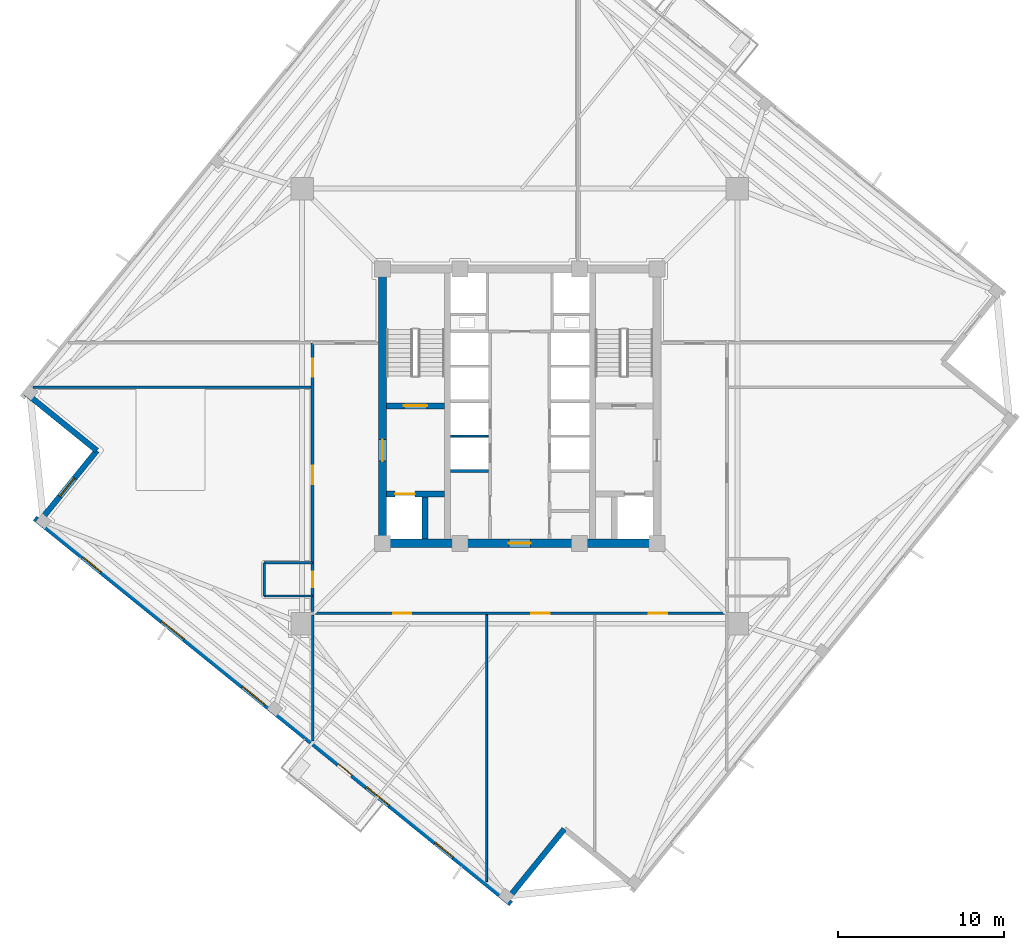
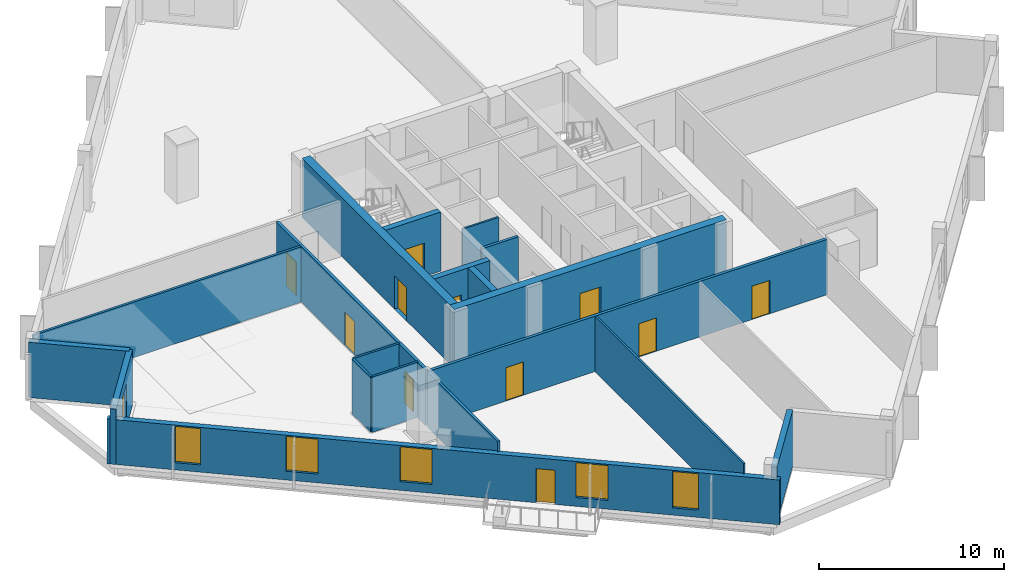
# One storey, part 3 of 10: 19 walls, 11 doors, 6 windows, 17 openings.
"""IFC4 building model written with IfcOpenShell, lengths in metres."""

import ifcopenshell
import ifcopenshell.guid

model = None  # the IFC model being written
_history = None  # IfcOwnerHistory: only IFC2X3 demands one
_inside = {}  # id of a spatial element -> (the spatial element, [elements in it])
_under = {}  # id of a project, library or spatial element -> (it, [spatial elements below it])
_declared = {}  # id of a project -> (the project, [libraries it declares])
_typed = {}  # id of a type object -> (the type object, [elements of that type])
_made_of = {}  # id of a material, layer set ... -> (it, [elements and type objects made of it])


def new_model(schema):
    """Start an empty IFC model of exactly this schema.

    Asked for "IFC4X3", IfcOpenShell would pick the latest addendum, in which some entities
    have other attributes; the version numbers below select the first issue.
    IFC2X3 requires an IfcOwnerHistory on every rooted entity: one is made here for all.
    """
    global model, _history
    if schema == "IFC4X3":
        model = ifcopenshell.file(schema_version=(4, 3, 0, 0))
    else:
        model = ifcopenshell.file(schema=schema)
    _inside.clear()
    _under.clear()
    _declared.clear()
    _typed.clear()
    _made_of.clear()
    _history = None
    if model.schema == "IFC2X3":
        org = make("IfcOrganization", Name="unknown")
        user = make(
            "IfcPersonAndOrganization",
            ThePerson=make("IfcPerson", FamilyName="unknown"),
            TheOrganization=org,
        )
        app = make(
            "IfcApplication",
            ApplicationDeveloper=org,
            Version="unknown",
            ApplicationFullName="unknown",
            ApplicationIdentifier="unknown",
        )
        _history = make(
            "IfcOwnerHistory",
            OwningUser=user,
            OwningApplication=app,
            ChangeAction="ADDED",
            CreationDate=0,
        )
    return model


def make(cls, **values):
    """One entity of the class cls with the attributes given. An attribute that is None is left unset."""
    return model.create_entity(
        cls, **{name: value for name, value in values.items() if value is not None}
    )


def rooted(cls, **values):
    """An entity with a GlobalId (a new one), such as an element, a storey or a relation."""
    return make(cls, GlobalId=ifcopenshell.guid.new(), OwnerHistory=_history, **values)


def si_unit(unit_type, name, prefix=None):
    """IfcSIUnit, for example si_unit("LENGTHUNIT", "METRE", prefix="MILLI")."""
    return make("IfcSIUnit", UnitType=unit_type, Prefix=prefix, Name=name)


def assignment(units):
    """IfcUnitAssignment: the units of a project."""
    return None if units is None else make("IfcUnitAssignment", Units=units)


def point(xyz):
    """IfcCartesianPoint."""
    return None if xyz is None else make("IfcCartesianPoint", Coordinates=xyz)


def direction(xyz):
    """IfcDirection."""
    return None if xyz is None else make("IfcDirection", DirectionRatios=xyz)


def frame(location, z_axis=None, x_axis=None):
    """IfcAxis2Placement3D, a coordinate frame: its origin and axes. An axis left out is left unset."""
    return make(
        "IfcAxis2Placement3D",
        Location=point(location),
        Axis=direction(z_axis),
        RefDirection=direction(x_axis),
    )


def frame_2d(location, x_axis=None):
    """IfcAxis2Placement2D, a coordinate frame in the plane: its origin and x axis."""
    return make(
        "IfcAxis2Placement2D", Location=point(location), RefDirection=direction(x_axis)
    )


def origin():
    """The frame at (0, 0, 0) with its axes left unset."""
    return frame((0.0, 0.0, 0.0))


def place(relative_to, where):
    """IfcLocalPlacement: puts the frame where relative to a parent placement (None: the world)."""
    return make(
        "IfcLocalPlacement", PlacementRelTo=relative_to, RelativePlacement=where
    )


def context(
    kind, dimensions, precision=None, world=None, true_north=None, identifier=None
):
    """IfcGeometricRepresentationContext, for example the 3D "Model" context."""
    return make(
        "IfcGeometricRepresentationContext",
        ContextIdentifier=identifier,
        ContextType=kind,
        CoordinateSpaceDimension=dimensions,
        Precision=precision,
        WorldCoordinateSystem=world,
        TrueNorth=true_north,
    )


def subcontext(parent, identifier, kind, view, scale=None):
    """IfcGeometricRepresentationSubContext, for example "Body" below "Model"."""
    return make(
        "IfcGeometricRepresentationSubContext",
        ContextIdentifier=identifier,
        ContextType=kind,
        ParentContext=parent,
        TargetScale=scale,
        TargetView=view,
    )


def project(units=None, contexts=None):
    """IfcProject with its units and contexts."""
    return rooted(
        "IfcProject",
        Name="project",
        RepresentationContexts=contexts,
        UnitsInContext=assignment(units),
    )


def spatial(cls, under=None, at=None, **own):
    """A site, building, storey or space (cls), placed at a placement, below another one or the project."""
    s = rooted(cls, ObjectPlacement=at, **own)
    if under is not None:
        _under.setdefault(under.id(), (under, []))[1].append(s)
    return s


def profile(cls, at=None, kind="AREA", **sizes):
    """A parametric profile (cls). Its sizes go by their IFC names, for example OverallWidth=200.0."""
    return make(cls, ProfileType=kind, Position=at, **sizes)


def rectangle(**sizes):
    """IfcRectangleProfileDef."""
    return profile("IfcRectangleProfileDef", **sizes)


def extrude(swept, where, along, depth):
    """IfcExtrudedAreaSolid: the profile swept, set in the frame where, extruded along a direction by depth."""
    return make(
        "IfcExtrudedAreaSolid",
        SweptArea=swept,
        Position=where,
        ExtrudedDirection=direction(along),
        Depth=depth,
    )


def shape(context_of_items, identifier, shape_type, items):
    """IfcShapeRepresentation: the items that make up one representation, for example the "Body"."""
    return make(
        "IfcShapeRepresentation",
        ContextOfItems=context_of_items,
        RepresentationIdentifier=identifier,
        RepresentationType=shape_type,
        Items=items,
    )


def source(mapping_origin, context_of_items, identifier, shape_type, items):
    """IfcRepresentationMap: a shape defined once, which mapped items show again and again."""
    return make(
        "IfcRepresentationMap",
        MappingOrigin=mapping_origin,
        MappedRepresentation=shape(context_of_items, identifier, shape_type, items),
    )


def transform(
    local_origin,
    x_axis=None,
    y_axis=None,
    z_axis=None,
    scale=None,
    scale2=None,
    scale3=None,
    uniform=True,
):
    """IfcCartesianTransformationOperator3D, or its non-uniform kind. x_axis, y_axis, z_axis: its Axis1, 2, 3."""
    if uniform:
        return make(
            "IfcCartesianTransformationOperator3D",
            Axis1=direction(x_axis),
            Axis2=direction(y_axis),
            LocalOrigin=point(local_origin),
            Scale=scale,
            Axis3=direction(z_axis),
        )
    return make(
        "IfcCartesianTransformationOperator3DnonUniform",
        Axis1=direction(x_axis),
        Axis2=direction(y_axis),
        LocalOrigin=point(local_origin),
        Scale=scale,
        Axis3=direction(z_axis),
        Scale2=scale2,
        Scale3=scale3,
    )


def mapped(mapping_source, mapping_target):
    """IfcMappedItem: shows the shape of a source again, moved by a transform."""
    return make(
        "IfcMappedItem", MappingSource=mapping_source, MappingTarget=mapping_target
    )


def material(Name=None, Category=None):
    """IfcMaterial."""
    return make("IfcMaterial", Name=Name, Category=Category)


def layer(
    of_material, thickness, ventilated=None, Name=None, Category=None, Priority=None
):
    """IfcMaterialLayer: one layer of a wall or slab, of a material (None: an air gap)."""
    return make(
        "IfcMaterialLayer",
        Material=of_material,
        LayerThickness=thickness,
        IsVentilated=ventilated,
        Name=Name,
        Category=Category,
        Priority=Priority,
    )


def layer_set(layers, Name=None):
    """IfcMaterialLayerSet."""
    return make("IfcMaterialLayerSet", MaterialLayers=layers, LayerSetName=Name)


def made_of(thing, what):
    """Note that an element or type object is made of a material, layer set ...; save() writes the relation."""
    if what is not None:
        _made_of.setdefault(what.id(), (what, []))[1].append(thing)
    return thing


def type_object(cls, material=None, **own):
    """A type object (cls), such as IfcWallType, which elements share."""
    return made_of(rooted(cls, **own), material)


def element(
    cls,
    number,
    at=None,
    inside=None,
    cuts=None,
    type_object=None,
    material=None,
    context=None,
    identifier="Body",
    shape_type=None,
    held_by="IfcProductDefinitionShape",
    body=None,
    shapes=None,
    **own,
):
    """One element of the class cls, such as IfcWall. Its Tag is "e" and its number.

    at: its placement. inside: the storey or other place that contains it. cuts: it is an
    opening in that element (IfcRelVoidsElement). A single representation is given by context,
    identifier, shape_type and body (its items); several are given by shapes. held_by: the class
    of the entity that holds the representations. save() writes the other relations.
    """
    e = rooted(cls, Tag="e%d" % number, ObjectPlacement=at, **own)
    if body is not None:
        shapes = [shape(context, identifier, shape_type, body)]
    if shapes is not None:
        e.Representation = make(held_by, Representations=shapes)
    if inside is not None:
        _inside.setdefault(inside.id(), (inside, []))[1].append(e)
    if cuts is not None:
        rooted(
            "IfcRelVoidsElement", RelatingBuildingElement=cuts, RelatedOpeningElement=e
        )
    if type_object is not None:
        _typed.setdefault(type_object.id(), (type_object, []))[1].append(e)
    return made_of(e, material)


def fill(opening, filler):
    """IfcRelFillsElement: the door or window that sits in an opening."""
    return rooted(
        "IfcRelFillsElement",
        RelatingOpeningElement=opening,
        RelatedBuildingElement=filler,
    )


def aggregate(whole, parts):
    """IfcRelAggregates: a whole, such as a stair, and the parts it consists of."""
    return rooted("IfcRelAggregates", RelatingObject=whole, RelatedObjects=parts)


def save(model, path):
    """Write the relations noted so far, then the file.

    IfcRelAggregates (storeys below a building ...), IfcRelContainedInSpatialStructure (elements
    in a storey), IfcRelDefinesByType, IfcRelAssociatesMaterial and IfcRelDeclares: one each for
    every whole, place, type object, material and project.
    """
    for whole, parts in _under.values():
        aggregate(whole, parts)
    for where, things in _inside.values():
        rooted(
            "IfcRelContainedInSpatialStructure",
            RelatedElements=things,
            RelatingStructure=where,
        )
    for kind, things in _typed.values():
        rooted("IfcRelDefinesByType", RelatedObjects=things, RelatingType=kind)
    for what, things in _made_of.values():
        rooted("IfcRelAssociatesMaterial", RelatedObjects=things, RelatingMaterial=what)
    for by, libraries in _declared.values():
        rooted("IfcRelDeclares", RelatingContext=by, RelatedDefinitions=libraries)
    model.write(path)


model = new_model("IFC4")

# Units and contexts
model_context = context("Model", 3, precision=1e-05, world=origin(), true_north=direction((0.0, 1.0)))
body_context = subcontext(model_context, "Body", "Model", "MODEL_VIEW")
ifc_project = project(units=[si_unit("LENGTHUNIT", "METRE"), si_unit("AREAUNIT", "SQUARE_METRE"), si_unit("VOLUMEUNIT", "CUBIC_METRE"), si_unit("PLANEANGLEUNIT", "RADIAN"), si_unit("MASSUNIT", "GRAM", prefix="KILO"), si_unit("THERMODYNAMICTEMPERATUREUNIT", "KELVIN")], contexts=[model_context])

# Site, building, storey
site_placement = place(None, origin())
site = spatial("IfcSite", under=ifc_project, at=site_placement, CompositionType="ELEMENT")
building_placement = place(site_placement, origin())
building = spatial("IfcBuilding", under=site, at=building_placement, Name="Kosmvard Interchange Tower", CompositionType="ELEMENT")
storey_placement = place(building_placement, frame((0.0, 0.0, 229.0)))
storey = spatial("IfcBuildingStorey", under=building, at=storey_placement, Name="L55", CompositionType="ELEMENT", Elevation=229.0)

# Walls
ifc_material_1 = material(Name="Acoustic gypsum partition system")
ifc_layer_1 = layer(ifc_material_1, 0.14990234375, Name="Acoustic gypsum partition system")
ifc_layer_set_1 = layer_set([ifc_layer_1], Name="Acoustic gypsum partition system")
wall_type_1 = type_object("IfcWallType", Name="Acoustic Suite & Meeting Partition 150", PredefinedType="PARTITIONING", material=ifc_layer_set_1)
wall_1_placement = place(storey_placement, frame((-29.275390625, 1.14990234375, 0.0), z_axis=(0.0, 0.0, 1.0), x_axis=(1.0, 0.0, 0.0)))
element("IfcWall", 1, at=wall_1_placement, inside=storey, type_object=wall_type_1, Name="L55 Room Partition 02.1", PredefinedType="PARTITIONING", context=body_context, shape_type="SweptSolid", body=[
    extrude(rectangle(XDim=16.73046875, YDim=0.14990234375, at=frame_2d((8.365234375, 0.0))), origin(), (0.0, 0.0, 1.0), 3.659912109375),
])
wall_2_placement = place(storey_placement, frame((-12.449951171875, -20.124755859375, 0.0), z_axis=(0.0, 0.0, 1.0), x_axis=(0.0, 1.0, 0.0)))
element("IfcWall", 2, at=wall_2_placement, inside=storey, type_object=wall_type_1, Name="L55 Room Partition 06.1", PredefinedType="PARTITIONING", context=body_context, shape_type="SweptSolid", body=[
    extrude(rectangle(XDim=7.579833984375, YDim=0.14990234375, at=frame_2d((3.7900390625, 0.0))), origin(), (0.0, 0.0, 1.0), 3.659912109375),
])

# Wall, openings, doors
ifc_material_2 = material(Name="Fire-rated gypsum partition system")
ifc_layer_2 = layer(ifc_material_2, 0.179931640625, Name="Fire-rated gypsum partition system")
ifc_layer_set_2 = layer_set([ifc_layer_2], Name="Fire-rated gypsum partition system")
wall_type_2 = type_object("IfcWallType", Name="Corridor & Hotel Compartment Partition 180", PredefinedType="PARTITIONING", material=ifc_layer_set_2)
wall_3_placement = place(storey_placement, frame((-12.449951171875, -12.449951171875, 0.0), z_axis=(0.0, 0.0, 1.0), x_axis=(1.0, 0.0, 0.0)))
wall_3 = element("IfcWall", 3, at=wall_3_placement, inside=storey, type_object=wall_type_2, Name="L55 Corridor Wall CS", PredefinedType="PARTITIONING", context=body_context, shape_type="SweptSolid", body=[
    extrude(rectangle(XDim=24.89990234375, YDim=0.179931640625, at=frame_2d((12.449951171875, 0.0))), origin(), (0.0, 0.0, 1.0), 3.659912109375),
])
opening_1_placement = place(wall_3_placement, frame((4.83935546875, 0.0, 0.0)))
opening_1 = element("IfcOpeningElement", 4, at=opening_1_placement, cuts=wall_3, Name="Opening L55-D08", PredefinedType="OPENING", context=body_context, shape_type="SweptSolid", body=[
    extrude(rectangle(XDim=1.10009765625, YDim=2.199951171875, at=frame_2d((0.550048828125, 1.10009765625))), frame((0.0, 0.10009765625, 0.0), z_axis=(0.0, -1.0, 0.0), x_axis=(1.0, 0.0, 0.0)), (0.0, 0.0, 1.0), 0.199951171875),
])
opening_2_placement = place(wall_3_placement, frame((13.14990234375, 0.0, 0.0)))
opening_2 = element("IfcOpeningElement", 5, at=opening_2_placement, cuts=wall_3, Name="Opening L55-D09", PredefinedType="OPENING", context=body_context, shape_type="SweptSolid", body=[
    extrude(rectangle(XDim=1.10009765625, YDim=2.199951171875, at=frame_2d((0.550048828125, 1.10009765625))), frame((0.0, 0.10009765625, 0.0), z_axis=(0.0, -1.0, 0.0), x_axis=(1.0, 0.0, 0.0)), (0.0, 0.0, 1.0), 0.199951171875),
])
opening_3_placement = place(wall_3_placement, frame((20.21044921875, 0.0, 0.0)))
opening_3 = element("IfcOpeningElement", 6, at=opening_3_placement, cuts=wall_3, Name="Opening L55-D10", PredefinedType="OPENING", context=body_context, shape_type="SweptSolid", body=[
    extrude(rectangle(XDim=1.10009765625, YDim=2.199951171875, at=frame_2d((0.550048828125, 1.10009765625))), frame((0.0, 0.10009765625, 0.0), z_axis=(0.0, -1.0, 0.0), x_axis=(1.0, 0.0, 0.0)), (0.0, 0.0, 1.0), 0.199951171875),
])
ifc_material_3 = material(Name="Engineered oak fire-rated timber", Category="wood")
door_type_1 = type_object("IfcDoorType", Name="Office Suite Entrance Door 1100x2200 FD30S", OperationType="NOTDEFINED", PredefinedType="DOOR", material=ifc_material_3)
shared_shape_1 = source(origin(), body_context, "Body", "SweptSolid", [
    extrude(rectangle(XDim=1.10009765625, YDim=2.199951171875, at=frame_2d((0.550048828125, 1.10009765625))), frame((0.0, 0.02490234375, 0.0), z_axis=(0.0, -1.0, 0.0), x_axis=(1.0, 0.0, 0.0)), (0.0, 0.0, 1.0), 0.050048828125),
])
door_1_placement = place(opening_1_placement, frame((1.10009765625, 0.0, 0.0), z_axis=(0.0, 0.0, 1.0), x_axis=(-1.0, 0.0, 0.0)))
door_1 = element("IfcDoor", 7, at=door_1_placement, inside=storey, type_object=door_type_1, Name="L55 Mediation Chamber 3 Door", OperationType="SINGLE_SWING_RIGHT", OverallHeight=2.199951171875, OverallWidth=1.10009765625, PredefinedType="DOOR", context=body_context, shape_type="MappedRepresentation", body=[
    mapped(shared_shape_1, transform((0.0, 0.0, 0.0), scale=1.0)),
])
fill(opening_1, door_1)
door_2_placement = place(opening_2_placement, frame((1.10009765625, 0.0, 0.0), z_axis=(0.0, 0.0, 1.0), x_axis=(-1.0, 0.0, 0.0)))
door_2 = element("IfcDoor", 8, at=door_2_placement, inside=storey, type_object=door_type_1, Name="L55 Arbitration Chamber 4 Door", OperationType="SINGLE_SWING_LEFT", OverallHeight=2.199951171875, OverallWidth=1.10009765625, PredefinedType="DOOR", context=body_context, shape_type="MappedRepresentation", body=[
    mapped(shared_shape_1, transform((0.0, 0.0, 0.0), scale=1.0)),
])
fill(opening_2, door_2)
door_3_placement = place(opening_3_placement, frame((1.10009765625, 0.0, 0.0), z_axis=(0.0, 0.0, 1.0), x_axis=(-1.0, 0.0, 0.0)))
door_3 = element("IfcDoor", 9, at=door_3_placement, inside=storey, type_object=door_type_1, Name="L55 Chambers Pantry Door", OperationType="SINGLE_SWING_RIGHT", OverallHeight=2.199951171875, OverallWidth=1.10009765625, PredefinedType="DOOR", context=body_context, shape_type="MappedRepresentation", body=[
    mapped(shared_shape_1, transform((0.0, 0.0, 0.0), scale=1.0)),
])
fill(opening_3, door_3)

wall_4_placement = place(storey_placement, frame((-12.449951171875, -12.35009765625, 0.0), z_axis=(0.0, 0.0, 1.0), x_axis=(0.0, 1.0, 0.0)))
wall_4 = element("IfcWall", 10, at=wall_4_placement, inside=storey, type_object=wall_type_2, Name="L55 Corridor Wall CW", PredefinedType="PARTITIONING", context=body_context, shape_type="SweptSolid", body=[
    extrude(rectangle(XDim=16.150146484375, YDim=0.179931640625, at=frame_2d((8.0751953125, 0.0))), origin(), (0.0, 0.0, 1.0), 3.659912109375),
])
opening_4_placement = place(wall_4_placement, frame((1.455078125, 0.0, 0.0)))
opening_4 = element("IfcOpeningElement", 11, at=opening_4_placement, cuts=wall_4, Name="Opening L55-D01", PredefinedType="OPENING", context=body_context, shape_type="SweptSolid", body=[
    extrude(rectangle(XDim=0.949951171875, YDim=2.10009765625, at=frame_2d((0.47509765625, 1.050048828125))), frame((0.0, 0.10009765625, 0.0), z_axis=(0.0, -1.0, 0.0), x_axis=(1.0, 0.0, 0.0)), (0.0, 0.0, 1.0), 0.199951171875),
])
opening_5_placement = place(wall_4_placement, frame((14.110595703125, 0.0, 0.0)))
opening_5 = element("IfcOpeningElement", 12, at=opening_5_placement, cuts=wall_4, Name="Opening L55-D03", PredefinedType="OPENING", context=body_context, shape_type="SweptSolid", body=[
    extrude(rectangle(XDim=1.10009765625, YDim=2.199951171875, at=frame_2d((0.550048828125, 1.10009765625))), frame((0.0, 0.10009765625, 0.0), z_axis=(0.0, -1.0, 0.0), x_axis=(1.0, 0.0, 0.0)), (0.0, 0.0, 1.0), 0.199951171875),
])
opening_6_placement = place(wall_4_placement, frame((7.658935546875, 0.0, 0.0)))
opening_6 = element("IfcOpeningElement", 13, at=opening_6_placement, cuts=wall_4, Name="Opening L55-D07", PredefinedType="OPENING", context=body_context, shape_type="SweptSolid", body=[
    extrude(rectangle(XDim=1.10009765625, YDim=2.199951171875, at=frame_2d((0.550048828125, 1.10009765625))), frame((0.0, 0.10009765625, 0.0), z_axis=(0.0, -1.0, 0.0), x_axis=(1.0, 0.0, 0.0)), (0.0, 0.0, 1.0), 0.199951171875),
])
ifc_material_4 = material(Name="Laminated moisture-resistant timber", Category="wood")
door_type_2 = type_object("IfcDoorType", Name="Accessible Washroom Door 950x2100", OperationType="NOTDEFINED", PredefinedType="DOOR", material=ifc_material_4)
shared_shape_2 = source(origin(), body_context, "Body", "SweptSolid", [
    extrude(rectangle(XDim=0.949951171875, YDim=2.10009765625, at=frame_2d((0.47509765625, 1.050048828125))), frame((0.0, 0.02490234375, 0.0), z_axis=(0.0, -1.0, 0.0), x_axis=(1.0, 0.0, 0.0)), (0.0, 0.0, 1.0), 0.050048828125),
])
door_4_placement = place(opening_4_placement, origin())
door_4 = element("IfcDoor", 14, at=door_4_placement, inside=storey, type_object=door_type_2, Name="L55 Accessible Toilet Door", OperationType="SINGLE_SWING_LEFT", OverallHeight=2.10009765625, OverallWidth=0.949951171875, PredefinedType="DOOR", context=body_context, shape_type="MappedRepresentation", body=[
    mapped(shared_shape_2, transform((0.0, 0.0, 0.0), scale=1.0)),
])
fill(opening_4, door_4)
door_5_placement = place(opening_5_placement, origin())
door_5 = element("IfcDoor", 15, at=door_5_placement, inside=storey, type_object=door_type_1, Name="L55 West Caucus Chamber 1 Door", OperationType="SINGLE_SWING_LEFT", OverallHeight=2.199951171875, OverallWidth=1.10009765625, PredefinedType="DOOR", context=body_context, shape_type="MappedRepresentation", body=[
    mapped(shared_shape_1, transform((0.0, 0.0, 0.0), scale=1.0)),
])
fill(opening_5, door_5)
door_6_placement = place(opening_6_placement, origin())
door_6 = element("IfcDoor", 16, at=door_6_placement, inside=storey, type_object=door_type_1, Name="L55 South-West Open Legal Studio Door", OperationType="SINGLE_SWING_LEFT", OverallHeight=2.199951171875, OverallWidth=1.10009765625, PredefinedType="DOOR", context=body_context, shape_type="MappedRepresentation", body=[
    mapped(shared_shape_1, transform((0.0, 0.0, 0.0), scale=1.0)),
])
fill(opening_6, door_6)

# Wall
ifc_material_5 = material(Name="Precast concrete C45/55", Category="concrete")
ifc_layer_3 = layer(ifc_material_5, 0.340087890625, Name="Precast concrete C45/55")
ifc_layer_set_3 = layer_set([ifc_layer_3], Name="Precast concrete C45/55")
wall_type_3 = type_object("IfcWallType", Name="Mid Tower Precast Pier Wall 340 C45/55", PredefinedType="STANDARD", material=ifc_layer_set_3)
wall_5_placement = place(storey_placement, frame((-29.703125, 0.78857421875, 0.0), z_axis=(0.0, 0.0, 1.0), x_axis=(0.77714355312, -0.629323365087, 0.0)))
element("IfcWall", 17, at=wall_5_placement, inside=storey, type_object=wall_type_3, Name="L55 Precast Facade Wall N-NW1", PredefinedType="STANDARD", context=body_context, shape_type="SweptSolid", body=[
    extrude(rectangle(XDim=5.499755859375, YDim=0.340087890625, at=frame_2d((2.75, 0.0))), origin(), (0.0, 0.0, 1.0), 3.659912109375),
])

# Wall, opening, window
wall_6_placement = place(storey_placement, frame((-25.428955078125, -2.672607421875, 0.0), z_axis=(0.0, 0.0, 1.0), x_axis=(-0.629299794138, -0.777162640055, 0.0)))
wall_6 = element("IfcWall", 18, at=wall_6_placement, inside=storey, type_object=wall_type_3, Name="L55 Precast Facade Wall N-NW2", PredefinedType="STANDARD", context=body_context, shape_type="SweptSolid", body=[
    extrude(rectangle(XDim=5.669921875, YDim=0.340087890625, at=frame_2d((2.8349609375, 0.0))), origin(), (0.0, 0.0, 1.0), 3.659912109375),
])
opening_7_placement = place(wall_6_placement, frame((2.135009765625, 0.0, 0.47998046875)))
opening_7 = element("IfcOpeningElement", 19, at=opening_7_placement, cuts=wall_6, Name="Opening L55-W23", PredefinedType="OPENING", context=body_context, shape_type="SweptSolid", body=[
    extrude(rectangle(XDim=1.39990234375, YDim=2.39990234375, at=frame_2d((0.699951171875, 1.199951171875))), frame((0.0, 0.18017578125, 0.0), z_axis=(0.0, -1.0, 0.0), x_axis=(1.0, 0.0, 0.0)), (0.0, 0.0, 1.0), 0.360107421875),
])
ifc_material_6 = material(Name="Low-E solar-control double glazing", Category="glass")
window_type_1 = type_object("IfcWindowType", Name="Notched Corner Feature Window 1400x2400", PartitioningType="SINGLE_PANEL", PredefinedType="WINDOW", material=ifc_material_6)
shared_shape_3 = source(origin(), body_context, "Body", "SweptSolid", [
    extrude(rectangle(XDim=1.39990234375, YDim=2.39990234375, at=frame_2d((0.699951171875, 1.199951171875))), frame((0.0, 0.030029296875, 0.0), z_axis=(0.0, -1.0, 0.0), x_axis=(1.0, 0.0, 0.0)), (0.0, 0.0, 1.0), 0.06005859375),
])
window_1_placement = place(opening_7_placement, origin())
window_1 = element("IfcWindow", 20, at=window_1_placement, inside=storey, type_object=window_type_1, Name="L55 Corner Notch Window 23", OverallHeight=2.39990234375, OverallWidth=1.39990234375, PartitioningType="SINGLE_PANEL", PredefinedType="WINDOW", context=body_context, shape_type="MappedRepresentation", body=[
    mapped(shared_shape_3, transform((0.0, 0.0, 0.0), scale=1.0)),
])
fill(opening_7, window_1)

# Wall, openings, door, windows
wall_7_placement = place(storey_placement, frame((-29.154296875, -6.73291015625, 0.0), z_axis=(0.0, 0.0, 1.0), x_axis=(0.77714192302, -0.629325378072, 0.0)))
wall_7 = element("IfcWall", 21, at=wall_7_placement, inside=storey, type_object=wall_type_3, Name="L55 Precast Facade Wall F-W", PredefinedType="STANDARD", context=body_context, shape_type="SweptSolid", body=[
    extrude(rectangle(XDim=36.840087890625, YDim=0.340087890625, at=frame_2d((18.419921875, 0.0))), origin(), (0.0, 0.0, 1.0), 2.9599609375),
])
opening_8_placement = place(wall_7_placement, frame((23.4951171875, 0.0, 0.0)))
opening_8 = element("IfcOpeningElement", 22, at=opening_8_placement, cuts=wall_7, Name="Opening L55-BDW", PredefinedType="OPENING", context=body_context, shape_type="SweptSolid", body=[
    extrude(rectangle(XDim=1.050048828125, YDim=2.25, at=frame_2d((0.52490234375, 1.125))), frame((0.0, 0.18017578125, 0.0), z_axis=(0.0, -1.0, 0.0), x_axis=(1.0, 0.0, 0.0)), (0.0, 0.0, 1.0), 0.360107421875),
])
opening_9_placement = place(wall_7_placement, frame((3.720703125, 0.0, 0.47998046875)))
opening_9 = element("IfcOpeningElement", 23, at=opening_9_placement, cuts=wall_7, Name="Opening L55-W16", PredefinedType="OPENING", context=body_context, shape_type="SweptSolid", body=[
    extrude(rectangle(XDim=1.39990234375, YDim=2.39990234375, at=frame_2d((0.699951171875, 1.199951171875))), frame((0.0, 0.18017578125, 0.0), z_axis=(0.0, -1.0, 0.0), x_axis=(1.0, 0.0, 0.0)), (0.0, 0.0, 1.0), 0.360107421875),
])
opening_10_placement = place(wall_7_placement, frame((9.80859375, 0.0, 0.580078125)))
opening_10 = element("IfcOpeningElement", 24, at=opening_10_placement, cuts=wall_7, Name="Opening L55-W17", PredefinedType="OPENING", context=body_context, shape_type="SweptSolid", body=[
    extrude(rectangle(XDim=1.75, YDim=2.300048828125, at=frame_2d((0.875, 1.14990234375))), frame((0.0, 0.18017578125, 0.0), z_axis=(0.0, -1.0, 0.0), x_axis=(1.0, 0.0, 0.0)), (0.0, 0.0, 1.0), 0.360107421875),
])
opening_11_placement = place(wall_7_placement, frame((16.05810546875, 0.0, 0.580078125)))
opening_11 = element("IfcOpeningElement", 25, at=opening_11_placement, cuts=wall_7, Name="Opening L55-W18", PredefinedType="OPENING", context=body_context, shape_type="SweptSolid", body=[
    extrude(rectangle(XDim=1.75, YDim=2.300048828125, at=frame_2d((0.875, 1.14990234375))), frame((0.0, 0.18017578125, 0.0), z_axis=(0.0, -1.0, 0.0), x_axis=(1.0, 0.0, 0.0)), (0.0, 0.0, 1.0), 0.360107421875),
])
opening_12_placement = place(wall_7_placement, frame((25.67626953125, 0.0, 0.580078125)))
opening_12 = element("IfcOpeningElement", 26, at=opening_12_placement, cuts=wall_7, Name="Opening L55-W19", PredefinedType="OPENING", context=body_context, shape_type="SweptSolid", body=[
    extrude(rectangle(XDim=1.75, YDim=2.300048828125, at=frame_2d((0.875, 1.14990234375))), frame((0.0, 0.18017578125, 0.0), z_axis=(0.0, -1.0, 0.0), x_axis=(1.0, 0.0, 0.0)), (0.0, 0.0, 1.0), 0.360107421875),
])
opening_13_placement = place(wall_7_placement, frame((30.982421875, 0.0, 0.47998046875)))
opening_13 = element("IfcOpeningElement", 27, at=opening_13_placement, cuts=wall_7, Name="Opening L55-W20", PredefinedType="OPENING", context=body_context, shape_type="SweptSolid", body=[
    extrude(rectangle(XDim=1.39990234375, YDim=2.39990234375, at=frame_2d((0.699951171875, 1.199951171875))), frame((0.0, 0.18017578125, 0.0), z_axis=(0.0, -1.0, 0.0), x_axis=(1.0, 0.0, 0.0)), (0.0, 0.0, 1.0), 0.360107421875),
])
ifc_material_7 = material(Name="Anodised aluminium and safety glass", Category="aluminium")
door_type_3 = type_object("IfcDoorType", Name="Tree-Balcony Glazed Door 1050x2250", OperationType="NOTDEFINED", PredefinedType="DOOR", material=ifc_material_7)
shared_shape_4 = source(origin(), body_context, "Body", "SweptSolid", [
    extrude(rectangle(XDim=1.050048828125, YDim=2.25, at=frame_2d((0.52490234375, 1.125))), frame((0.0, 0.02490234375, 0.0), z_axis=(0.0, -1.0, 0.0), x_axis=(1.0, 0.0, 0.0)), (0.0, 0.0, 1.0), 0.050048828125),
])
door_7_placement = place(opening_8_placement, origin())
door_7 = element("IfcDoor", 28, at=door_7_placement, inside=storey, type_object=door_type_3, Name="L55 Tree-Balcony Door BAL-L55-W", OperationType="SINGLE_SWING_RIGHT", OverallHeight=2.25, OverallWidth=1.050048828125, PredefinedType="DOOR", context=body_context, shape_type="MappedRepresentation", body=[
    mapped(shared_shape_4, transform((0.0, 0.0, 0.0), scale=1.0)),
])
fill(opening_8, door_7)
window_2_placement = place(opening_9_placement, origin())
window_2 = element("IfcWindow", 29, at=window_2_placement, inside=storey, type_object=window_type_1, Name="L55 Facade Punched Window 16", OverallHeight=2.39990234375, OverallWidth=1.39990234375, PartitioningType="SINGLE_PANEL", PredefinedType="WINDOW", context=body_context, shape_type="MappedRepresentation", body=[
    mapped(shared_shape_3, transform((0.0, 0.0, 0.0), scale=1.0)),
])
fill(opening_9, window_2)
window_3_placement = place(opening_13_placement, origin())
window_3 = element("IfcWindow", 30, at=window_3_placement, inside=storey, type_object=window_type_1, Name="L55 Facade Punched Window 20", OverallHeight=2.39990234375, OverallWidth=1.39990234375, PartitioningType="SINGLE_PANEL", PredefinedType="WINDOW", context=body_context, shape_type="MappedRepresentation", body=[
    mapped(shared_shape_3, transform((0.0, 0.0, 0.0), scale=1.0)),
])
fill(opening_13, window_3)
window_type_2 = type_object("IfcWindowType", Name="Zone 4 Suite Punched Window 1750x2300", PartitioningType="SINGLE_PANEL", PredefinedType="WINDOW", material=ifc_material_6)
shared_shape_5 = source(origin(), body_context, "Body", "SweptSolid", [
    extrude(rectangle(XDim=1.75, YDim=2.300048828125, at=frame_2d((0.875, 1.14990234375))), frame((0.0, 0.030029296875, 0.0), z_axis=(0.0, -1.0, 0.0), x_axis=(1.0, 0.0, 0.0)), (0.0, 0.0, 1.0), 0.06005859375),
])
window_4_placement = place(opening_10_placement, origin())
window_4 = element("IfcWindow", 31, at=window_4_placement, inside=storey, type_object=window_type_2, Name="L55 Facade Punched Window 17", OverallHeight=2.300048828125, OverallWidth=1.75, PartitioningType="SINGLE_PANEL", PredefinedType="WINDOW", context=body_context, shape_type="MappedRepresentation", body=[
    mapped(shared_shape_5, transform((0.0, 0.0, 0.0), scale=1.0)),
])
fill(opening_10, window_4)
window_5_placement = place(opening_11_placement, origin())
window_5 = element("IfcWindow", 32, at=window_5_placement, inside=storey, type_object=window_type_2, Name="L55 Facade Punched Window 18", OverallHeight=2.300048828125, OverallWidth=1.75, PartitioningType="SINGLE_PANEL", PredefinedType="WINDOW", context=body_context, shape_type="MappedRepresentation", body=[
    mapped(shared_shape_5, transform((0.0, 0.0, 0.0), scale=1.0)),
])
fill(opening_11, window_5)
window_6_placement = place(opening_12_placement, origin())
window_6 = element("IfcWindow", 33, at=window_6_placement, inside=storey, type_object=window_type_2, Name="L55 Facade Punched Window 19", OverallHeight=2.300048828125, OverallWidth=1.75, PartitioningType="SINGLE_PANEL", PredefinedType="WINDOW", context=body_context, shape_type="MappedRepresentation", body=[
    mapped(shared_shape_5, transform((0.0, 0.0, 0.0), scale=1.0)),
])
fill(opening_12, window_6)

# Walls
wall_8_placement = place(storey_placement, frame((-0.78857421875, -29.703125, 0.0), z_axis=(0.0, 0.0, 1.0), x_axis=(0.629323365087, 0.77714355312, 0.0)))
element("IfcWall", 34, at=wall_8_placement, inside=storey, type_object=wall_type_3, Name="L55 Precast Facade Wall N-SW1", PredefinedType="STANDARD", context=body_context, shape_type="SweptSolid", body=[
    extrude(rectangle(XDim=5.499755859375, YDim=0.340087890625, at=frame_2d((2.75, 0.0))), origin(), (0.0, 0.0, 1.0), 3.659912109375),
])
ifc_material_8 = material(Name="Gypsum board partition system")
ifc_layer_4 = layer(ifc_material_8, 0.1201171875, Name="Gypsum board partition system")
ifc_layer_set_4 = layer_set([ifc_layer_4], Name="Gypsum board partition system")
wall_type_4 = type_object("IfcWallType", Name="Office Cellular Partition 120", PredefinedType="PARTITIONING", material=ifc_layer_set_4)
wall_9_placement = place(storey_placement, frame((-2.0, -28.587158203125, 0.0), z_axis=(0.0, 0.0, 1.0), x_axis=(0.0, 1.0, 0.0)))
element("IfcWall", 35, at=wall_9_placement, inside=storey, type_object=wall_type_4, Name="L55 Room Partition 07.1", PredefinedType="PARTITIONING", context=body_context, shape_type="SweptSolid", body=[
    extrude(rectangle(XDim=16.042236328125, YDim=0.1201171875, at=frame_2d((8.02099609375, 0.0))), origin(), (0.0, 0.0, 1.0), 3.659912109375),
])
ifc_material_9 = material(Name="Concrete blockwork masonry", Category="masonry")
ifc_layer_5 = layer(ifc_material_9, 0.179931640625, Name="Concrete blockwork masonry")
ifc_layer_set_5 = layer_set([ifc_layer_5], Name="Concrete blockwork masonry")
wall_type_5 = type_object("IfcWallType", Name="Riser & Lift Bank Divider Wall 180", PredefinedType="PARTITIONING", material=ifc_layer_set_5)
wall_10_placement = place(storey_placement, frame((-4.169921875, -3.89990234375, 0.0), z_axis=(0.0, 0.0, 1.0), x_axis=(1.0, 0.0, 0.0)))
element("IfcWall", 36, at=wall_10_placement, inside=storey, type_object=wall_type_5, Name="L55 West Bank Divider BD1", PredefinedType="PARTITIONING", context=body_context, shape_type="SweptSolid", body=[
    extrude(rectangle(XDim=2.280029296875, YDim=0.179931640625, at=frame_2d((1.14013671875, 0.0))), origin(), (0.0, 0.0, 1.0), 3.659912109375),
])
ifc_material_10 = material(Name="Fire-rated gypsum shaftwall system")
ifc_layer_6 = layer(ifc_material_10, 0.1201171875, Name="Fire-rated gypsum shaftwall system")
ifc_layer_set_6 = layer_set([ifc_layer_6], Name="Fire-rated gypsum shaftwall system")
wall_type_6 = type_object("IfcWallType", Name="Shaft & Riser Fire Partition 120 EI60", PredefinedType="PARTITIONING", material=ifc_layer_set_6)
wall_11_placement = place(storey_placement, frame((-4.159912109375, -1.800048828125, 0.0), z_axis=(0.0, 0.0, 1.0), x_axis=(1.0, 0.0, 0.0)))
element("IfcWall", 37, at=wall_11_placement, inside=storey, type_object=wall_type_6, Name="L55 Shaft Divider PL-M1", PredefinedType="PARTITIONING", context=body_context, shape_type="SweptSolid", body=[
    extrude(rectangle(XDim=2.260009765625, YDim=0.1201171875, at=frame_2d((1.1298828125, 0.0))), origin(), (0.0, 0.0, 1.0), 3.659912109375),
])

# Wall, opening, door
ifc_material_11 = material(Name="Concrete C60/75", Category="concrete")
ifc_layer_7 = layer(ifc_material_11, 0.360107421875, Name="Concrete C60/75")
ifc_layer_set_7 = layer_set([ifc_layer_7], Name="Concrete C60/75")
wall_type_7 = type_object("IfcWallType", Name="Stair & Lift Shaft Shear Wall 360 C60/75", PredefinedType="SHEAR", material=ifc_layer_set_7)
wall_12_placement = place(storey_placement, frame((-8.0, 0.02001953125, 0.0), z_axis=(0.0, 0.0, 1.0), x_axis=(1.0, 0.0, 0.0)))
wall_12 = element("IfcWall", 38, at=wall_12_placement, inside=storey, type_object=wall_type_7, Name="L55 Shaft Shear Wall SW-ST1", PredefinedType="SHEAR", context=body_context, shape_type="SweptSolid", body=[
    extrude(rectangle(XDim=3.4599609375, YDim=0.360107421875, at=frame_2d((1.72998046875, 0.0))), origin(), (0.0, 0.0, 1.0), 3.89990234375),
])
opening_14_placement = place(wall_12_placement, frame((1.030029296875, 0.0, 0.0)))
opening_14 = element("IfcOpeningElement", 39, at=opening_14_placement, cuts=wall_12, Name="Opening L55-SD1", PredefinedType="OPENING", context=body_context, shape_type="SweptSolid", body=[
    extrude(rectangle(XDim=1.39990234375, YDim=2.199951171875, at=frame_2d((0.699951171875, 1.10009765625))), frame((0.0, 0.18994140625, 0.0), z_axis=(0.0, -1.0, 0.0), x_axis=(1.0, 0.0, 0.0)), (0.0, 0.0, 1.0), 0.380126953125),
])
ifc_material_12 = material(Name="Painted fire-rated steel leaf", Category="steel")
door_type_4 = type_object("IfcDoorType", Name="Protected Stair Door 1400x2200 FD60S", OperationType="NOTDEFINED", PredefinedType="DOOR", material=ifc_material_12)
shared_shape_6 = source(origin(), body_context, "Body", "SweptSolid", [
    extrude(rectangle(XDim=1.39990234375, YDim=2.199951171875, at=frame_2d((0.699951171875, 1.10009765625))), frame((0.0, 0.02490234375, 0.0), z_axis=(0.0, -1.0, 0.0), x_axis=(1.0, 0.0, 0.0)), (0.0, 0.0, 1.0), 0.050048828125),
])
door_8_placement = place(opening_14_placement, origin())
door_8 = element("IfcDoor", 40, at=door_8_placement, inside=storey, type_object=door_type_4, Name="L55 Stair ST-1 Enclosure Door", OperationType="SINGLE_SWING_LEFT", OverallHeight=2.199951171875, OverallWidth=1.39990234375, PredefinedType="DOOR", context=body_context, shape_type="MappedRepresentation", body=[
    mapped(shared_shape_6, transform((0.0, 0.0, 0.0), scale=1.0)),
])
fill(opening_14, door_8)

wall_13_placement = place(storey_placement, frame((-8.0, -5.280029296875, 0.0), z_axis=(0.0, 0.0, 1.0), x_axis=(1.0, 0.0, 0.0)))
wall_13 = element("IfcWall", 41, at=wall_13_placement, inside=storey, type_object=wall_type_7, Name="L55 Shaft Shear Wall SW-FF1", PredefinedType="SHEAR", context=body_context, shape_type="SweptSolid", body=[
    extrude(rectangle(XDim=3.4599609375, YDim=0.360107421875, at=frame_2d((1.72998046875, 0.0))), origin(), (0.0, 0.0, 1.0), 3.89990234375),
])
opening_15_placement = place(wall_13_placement, frame((0.5, 0.0, 0.0)))
opening_15 = element("IfcOpeningElement", 42, at=opening_15_placement, cuts=wall_13, Name="Opening LD-FF-1-L55", PredefinedType="OPENING", context=body_context, shape_type="SweptSolid", body=[
    extrude(rectangle(XDim=1.199951171875, YDim=2.25, at=frame_2d((0.60009765625, 1.125))), frame((0.0, 0.18994140625, 0.0), z_axis=(0.0, -1.0, 0.0), x_axis=(1.0, 0.0, 0.0)), (0.0, 0.0, 1.0), 0.380126953125),
])
ifc_material_13 = material(Name="Brushed stainless steel sliding leaf", Category="steel")
door_type_5 = type_object("IfcDoorType", Name="Firefighting Lift Sliding Landing Door 1200x2250 EI120", OperationType="DOUBLE_DOOR_SLIDING", PredefinedType="DOOR", material=ifc_material_13)
shared_shape_7 = source(origin(), body_context, "Body", "SweptSolid", [
    extrude(rectangle(XDim=1.199951171875, YDim=2.25, at=frame_2d((0.60009765625, 1.125))), frame((0.0, 0.02490234375, 0.0), z_axis=(0.0, -1.0, 0.0), x_axis=(1.0, 0.0, 0.0)), (0.0, 0.0, 1.0), 0.050048828125),
])
door_9_placement = place(opening_15_placement, origin())
door_9 = element("IfcDoor", 43, at=door_9_placement, inside=storey, type_object=door_type_5, Name="Lift FF-1 Landing Door L55", OperationType="DOUBLE_DOOR_SLIDING", OverallHeight=2.25, OverallWidth=1.199951171875, PredefinedType="DOOR", context=body_context, shape_type="MappedRepresentation", body=[
    mapped(shared_shape_7, transform((0.0, 0.0, 0.0), scale=1.0)),
])
fill(opening_15, door_9)

# Wall
wall_14_placement = place(storey_placement, frame((-5.7099609375, -8.0, 0.0), z_axis=(0.0, 0.0, 1.0), x_axis=(0.0, 1.0, 0.0)))
element("IfcWall", 44, at=wall_14_placement, inside=storey, type_object=wall_type_7, Name="L55 Shaft Shear Wall SW-SM1", PredefinedType="SHEAR", context=body_context, shape_type="SweptSolid", body=[
    extrude(rectangle(XDim=2.5400390625, YDim=0.360107421875, at=frame_2d((1.27001953125, 0.0))), origin(), (0.0, 0.0, 1.0), 3.89990234375),
])

# Wall, opening, door
ifc_layer_8 = layer(ifc_material_11, 0.5, Name="Concrete C60/75")
ifc_layer_set_8 = layer_set([ifc_layer_8], Name="Concrete C60/75")
wall_type_8 = type_object("IfcWallType", Name="Upper Core Shear Wall 500 C60/75", PredefinedType="SHEAR", material=ifc_layer_set_8)
wall_15_placement = place(storey_placement, frame((-8.5, -8.25, 0.0), z_axis=(0.0, 0.0, 1.0), x_axis=(1.0, 0.0, 0.0)))
wall_15 = element("IfcWall", 45, at=wall_15_placement, inside=storey, type_object=wall_type_8, Name="L55 Core Shear Wall CW-S", PredefinedType="SHEAR", context=body_context, shape_type="SweptSolid", body=[
    extrude(rectangle(XDim=17.0, YDim=0.5, at=frame_2d((8.5, 0.0))), origin(), (0.0, 0.0, 1.0), 3.89990234375),
])
opening_16_placement = place(wall_15_placement, frame((7.85009765625, 0.0, 0.0)))
opening_16 = element("IfcOpeningElement", 46, at=opening_16_placement, cuts=wall_15, Name="Opening L55-LD0", PredefinedType="OPENING", context=body_context, shape_type="SweptSolid", body=[
    extrude(rectangle(XDim=1.300048828125, YDim=2.199951171875, at=frame_2d((0.64990234375, 1.10009765625))), frame((0.0, 0.260009765625, 0.0), z_axis=(0.0, -1.0, 0.0), x_axis=(1.0, 0.0, 0.0)), (0.0, 0.0, 1.0), 0.52001953125),
])
door_type_6 = type_object("IfcDoorType", Name="Firefighting Lobby Door 1300x2200 EI60", OperationType="NOTDEFINED", PredefinedType="DOOR", material=ifc_material_12)
shared_shape_8 = source(origin(), body_context, "Body", "SweptSolid", [
    extrude(rectangle(XDim=1.300048828125, YDim=2.199951171875, at=frame_2d((0.64990234375, 1.10009765625))), frame((0.0, 0.02490234375, 0.0), z_axis=(0.0, -1.0, 0.0), x_axis=(1.0, 0.0, 0.0)), (0.0, 0.0, 1.0), 0.050048828125),
])
door_10_placement = place(opening_16_placement, frame((1.300048828125, 0.0, 0.0), z_axis=(0.0, 0.0, 1.0), x_axis=(-1.0, 0.0, 0.0)))
door_10 = element("IfcDoor", 47, at=door_10_placement, inside=storey, type_object=door_type_6, Name="L55 Passenger Lift Lobby South Door", OperationType="SINGLE_SWING_RIGHT", OverallHeight=2.199951171875, OverallWidth=1.300048828125, PredefinedType="DOOR", context=body_context, shape_type="MappedRepresentation", body=[
    mapped(shared_shape_8, transform((0.0, 0.0, 0.0), scale=1.0)),
])
fill(opening_16, door_10)

wall_16_placement = place(storey_placement, frame((-8.25, -8.0, 0.0), z_axis=(0.0, 0.0, 1.0), x_axis=(0.0, 1.0, 0.0)))
wall_16 = element("IfcWall", 48, at=wall_16_placement, inside=storey, type_object=wall_type_8, Name="L55 Core Shear Wall CW-W", PredefinedType="SHEAR", context=body_context, shape_type="SweptSolid", body=[
    extrude(rectangle(XDim=16.0, YDim=0.5, at=frame_2d((8.0, 0.0))), origin(), (0.0, 0.0, 1.0), 3.89990234375),
])
opening_17_placement = place(wall_16_placement, frame((4.68994140625, 0.0, 0.0)))
opening_17 = element("IfcOpeningElement", 49, at=opening_17_placement, cuts=wall_16, Name="Opening L55-FD1", PredefinedType="OPENING", context=body_context, shape_type="SweptSolid", body=[
    extrude(rectangle(XDim=1.300048828125, YDim=2.199951171875, at=frame_2d((0.64990234375, 1.10009765625))), frame((0.0, 0.260009765625, 0.0), z_axis=(0.0, -1.0, 0.0), x_axis=(1.0, 0.0, 0.0)), (0.0, 0.0, 1.0), 0.52001953125),
])
door_11_placement = place(opening_17_placement, frame((1.300048828125, 0.0, 0.0), z_axis=(0.0, 0.0, 1.0), x_axis=(-1.0, 0.0, 0.0)))
door_11 = element("IfcDoor", 50, at=door_11_placement, inside=storey, type_object=door_type_6, Name="L55 Firefighting Lobby West Door", OperationType="SINGLE_SWING_LEFT", OverallHeight=2.199951171875, OverallWidth=1.300048828125, PredefinedType="DOOR", context=body_context, shape_type="MappedRepresentation", body=[
    mapped(shared_shape_8, transform((0.0, 0.0, 0.0), scale=1.0)),
])
fill(opening_17, door_11)

# Walls
ifc_material_14 = material(Name="Moisture-resistant gypsum partition")
ifc_layer_9 = layer(ifc_material_14, 0.135009765625, Name="Moisture-resistant gypsum partition")
ifc_layer_set_9 = layer_set([ifc_layer_9], Name="Moisture-resistant gypsum partition")
wall_type_9 = type_object("IfcWallType", Name="Wet Room Moisture-Resistant Partition 135", PredefinedType="PARTITIONING", material=ifc_layer_set_9)
for number, where, z_axis, x_axis, name in (
    (51, (-15.3701171875, -11.419921875, 0.0), (0.0, 0.0, 1.0), (1.0, 0.0, 0.0), "L55 Washroom Partition AWC1-S"),
    (52, (-15.3701171875, -9.419921875, 0.0), (0.0, 0.0, 1.0), (1.0, 0.0, 0.0), "L55 Washroom Partition AWC1-N"),
):
    element("IfcWall", number, at=place(storey_placement, frame(where, z_axis=z_axis, x_axis=x_axis)), inside=storey, type_object=wall_type_9, Name=name, PredefinedType="PARTITIONING", context=body_context, shape_type="SweptSolid", body=[
        extrude(rectangle(XDim=2.900146484375, YDim=0.135009765625, at=frame_2d((1.4501953125, 0.0))), origin(), (0.0, 0.0, 1.0), 3.659912109375),
    ])
wall_17_placement = place(storey_placement, frame((-15.3701171875, -11.419921875, 0.0), z_axis=(0.0, 0.0, 1.0), x_axis=(0.0, 1.0, 0.0)))
element("IfcWall", 53, at=wall_17_placement, inside=storey, type_object=wall_type_9, Name="L55 Washroom Partition AWC1-W", PredefinedType="PARTITIONING", context=body_context, shape_type="SweptSolid", body=[
    extrude(rectangle(XDim=2.0, YDim=0.135009765625, at=frame_2d((1.0, 0.0))), origin(), (0.0, 0.0, 1.0), 3.659912109375),
])

save(model, "model.ifc")
